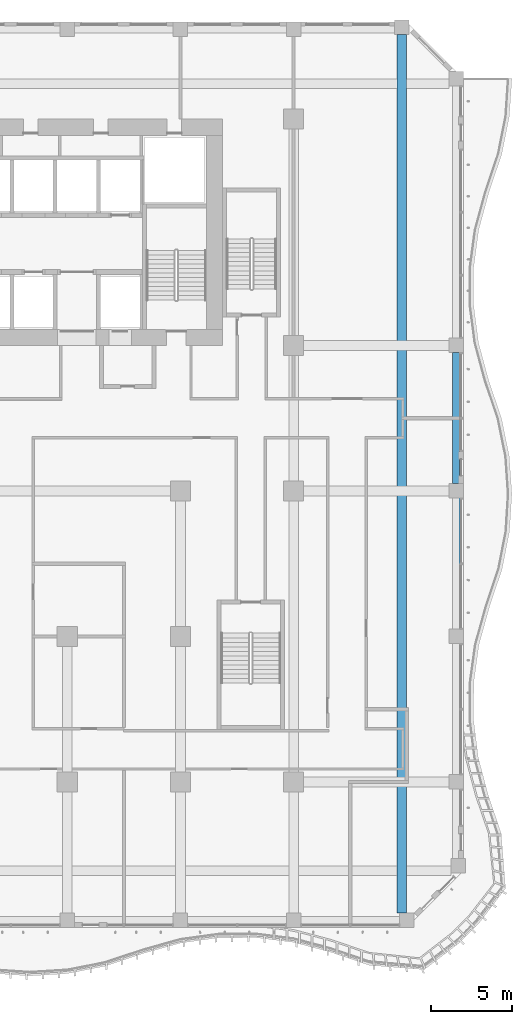
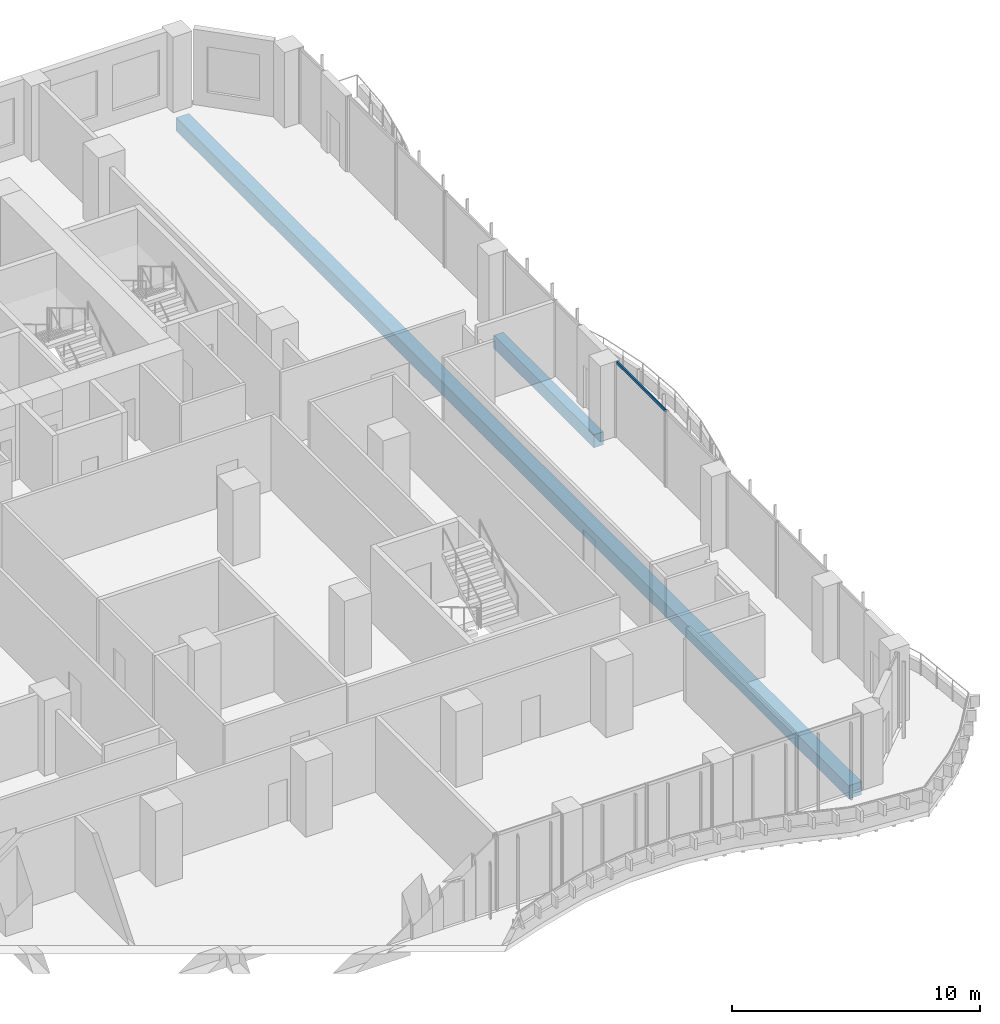
# One storey, part 6 of 26: 2 beams, 1 member, 1 element without a shape of its own.
"""IFC4 building model written with IfcOpenShell, lengths in metres."""

from ifc_helpers import new_model, si_unit, direction, frame, origin, origin_2d, place, context, subcontext, project, spatial, rectangle, extrude, source, transform, mapped, material, material_profile, profile_set, type_object, element, aggregate, save


model = new_model("IFC4")

# Units and contexts
model_context = context("Model", 3, precision=1e-05, world=origin(), true_north=direction((0.0, 1.0)))
body_context = subcontext(model_context, "Body", "Model", "MODEL_VIEW")
ifc_project = project(units=[si_unit("LENGTHUNIT", "METRE"), si_unit("AREAUNIT", "SQUARE_METRE"), si_unit("VOLUMEUNIT", "CUBIC_METRE"), si_unit("PLANEANGLEUNIT", "RADIAN"), si_unit("MASSUNIT", "GRAM", prefix="KILO")], contexts=[model_context])

# Site, building, storey
site_placement = place(None, origin())
site = spatial("IfcSite", under=ifc_project, at=site_placement, CompositionType="ELEMENT")
building_placement = place(site_placement, origin())
building = spatial("IfcBuilding", under=site, at=building_placement, Name="Kilnfold Tower and Market Hall", CompositionType="ELEMENT")
storey_placement = place(building_placement, frame((0.0, 0.0, 83.199951171875)))
storey = spatial("IfcBuildingStorey", under=building, at=storey_placement, Name="L19", CompositionType="ELEMENT", Elevation=83.199951171875)

# Beams
ifc_material_1 = material(Name="Concrete C45", Category="concrete")
ifc_material_profile_1 = material_profile(ifc_material_1, rectangle(XDim=0.60009765625, YDim=0.64990234375, at=origin_2d()), Name="RC 600x650")
ifc_profile_set_1 = profile_set([ifc_material_profile_1], Name="Concrete C45")
beam_type_1 = type_object("IfcBeamType", Name="BEAM 600X650 C45", PredefinedType="BEAM", material=ifc_profile_set_1)
shared_shape_1 = source(origin(), body_context, "Body", "SweptSolid", [
    extrude(rectangle(XDim=0.60009765625, YDim=0.64990234375, at=origin_2d()), origin(), (0.0, 0.0, 1.0), 54.331787109375),
])
beam_1_placement = place(storey_placement, frame((29.179931640625, -27.10009765625, -0.60498046875), z_axis=(0.0, 1.0, 0.0), x_axis=(-1.0, 0.0, 0.0)))
element("IfcBeam", 1, at=beam_1_placement, inside=storey, type_object=beam_type_1, Name="Beam BB650-B2.98", PredefinedType="BEAM", context=body_context, shape_type="MappedRepresentation", body=[
    mapped(shared_shape_1, transform((0.0, 0.0, 0.0))),
])
ifc_material_2 = material(Name="Concrete C45", Category="concrete")
ifc_material_profile_2 = material_profile(ifc_material_2, rectangle(XDim=0.449951171875, YDim=0.64990234375, at=origin_2d()), Name="RC 450x650")
ifc_profile_set_2 = profile_set([ifc_material_profile_2], Name="Concrete C45")
beam_type_2 = type_object("IfcBeamType", Name="EDGE BEAM 450X650 C45", PredefinedType="BEAM", material=ifc_profile_set_2)
shared_shape_2 = source(origin(), body_context, "Body", "SweptSolid", [
    extrude(rectangle(XDim=0.449951171875, YDim=0.64990234375, at=origin_2d()), origin(), (0.0, 0.0, 1.0), 8.10009765625),
])
beam_2_placement = place(storey_placement, frame((32.550048828125, -0.550048828125, -0.60498046875), z_axis=(0.0, 1.0, 0.0), x_axis=(-1.0, 0.0, 0.0)))
element("IfcBeam", 2, at=beam_2_placement, inside=storey, type_object=beam_type_2, Name="Beam EB650-B2.102", PredefinedType="BEAM", context=body_context, shape_type="MappedRepresentation", body=[
    mapped(shared_shape_2, transform((0.0, 0.0, 0.0))),
])

# Curtain wall, member
ifc_material_3 = material(Name="Aluminium and double glazing", Category="aluminium")
curtain_wall_type = type_object("IfcCurtainWallType", Name="CW OF1 VALLEY GLAZING", PredefinedType="NOTDEFINED", material=ifc_material_3)
curtain_wall_placement = place(storey_placement, origin())
curtain_wall = element("IfcCurtainWall", 3, at=curtain_wall_placement, inside=storey, type_object=curtain_wall_type, Name="Curtain wall CW1 L19 E", PredefinedType="NOTDEFINED")
ifc_material_4 = material(Name="Aluminium", Category="aluminium")
ifc_material_profile_3 = material_profile(ifc_material_4, rectangle(XDim=0.06005859375, YDim=0.139892578125, at=origin_2d()), Name="TRANSOM 60x140")
ifc_profile_set_3 = profile_set([ifc_material_profile_3], Name="Aluminium")
member_type = type_object("IfcMemberType", Name="TRANSOM 60X140", PredefinedType="USERDEFINED", material=ifc_profile_set_3)
shared_shape_3 = source(origin(), body_context, "Body", "SweptSolid", [
    extrude(rectangle(XDim=0.06005859375, YDim=0.139892578125, at=origin_2d()), origin(), (0.0, 0.0, 1.0), 3.929931640625),
])
member_placement = place(storey_placement, frame((32.85009765625, -5.43994140625, 3.68994140625), z_axis=(0.0, 1.0, 0.0), x_axis=(-1.0, 0.0, 0.0)))
member = element("IfcMember", 4, at=member_placement, type_object=member_type, Name="CW1 transom 1.2", ObjectType="TRANSOM", PredefinedType="USERDEFINED", context=body_context, shape_type="MappedRepresentation", body=[
    mapped(shared_shape_3, transform((0.0, 0.0, 0.0))),
])
aggregate(curtain_wall, [member])

save(model, "model.ifc")
